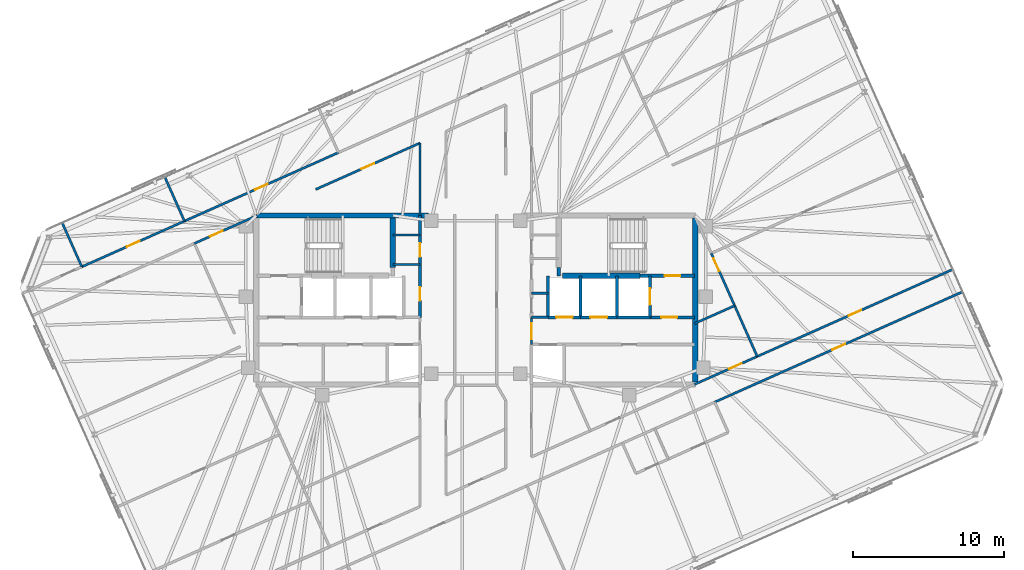
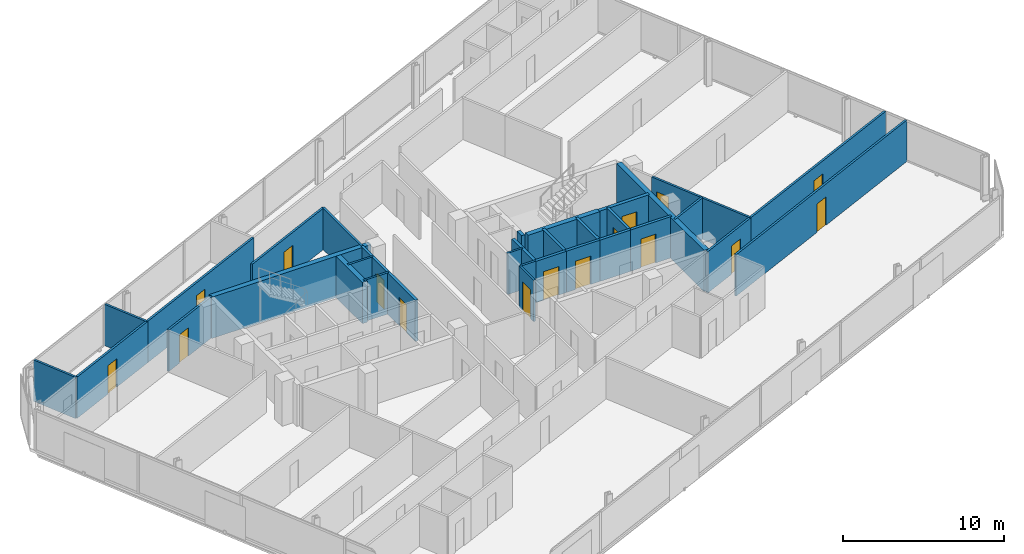
# One storey, part 15 of 18: 33 walls, 16 doors, 16 openings.
"""IFC4 building model written with IfcOpenShell, lengths in metres."""

import ifcopenshell
import ifcopenshell.guid

model = None  # the IFC model being written
_history = None  # IfcOwnerHistory: only IFC2X3 demands one
_inside = {}  # id of a spatial element -> (the spatial element, [elements in it])
_under = {}  # id of a project, library or spatial element -> (it, [spatial elements below it])
_declared = {}  # id of a project -> (the project, [libraries it declares])
_typed = {}  # id of a type object -> (the type object, [elements of that type])
_made_of = {}  # id of a material, layer set ... -> (it, [elements and type objects made of it])


def new_model(schema):
    """Start an empty IFC model of exactly this schema.

    Asked for "IFC4X3", IfcOpenShell would pick the latest addendum, in which some entities
    have other attributes; the version numbers below select the first issue.
    IFC2X3 requires an IfcOwnerHistory on every rooted entity: one is made here for all.
    """
    global model, _history
    if schema == "IFC4X3":
        model = ifcopenshell.file(schema_version=(4, 3, 0, 0))
    else:
        model = ifcopenshell.file(schema=schema)
    _inside.clear()
    _under.clear()
    _declared.clear()
    _typed.clear()
    _made_of.clear()
    _history = None
    if model.schema == "IFC2X3":
        org = make("IfcOrganization", Name="unknown")
        user = make(
            "IfcPersonAndOrganization",
            ThePerson=make("IfcPerson", FamilyName="unknown"),
            TheOrganization=org,
        )
        app = make(
            "IfcApplication",
            ApplicationDeveloper=org,
            Version="unknown",
            ApplicationFullName="unknown",
            ApplicationIdentifier="unknown",
        )
        _history = make(
            "IfcOwnerHistory",
            OwningUser=user,
            OwningApplication=app,
            ChangeAction="ADDED",
            CreationDate=0,
        )
    return model


def make(cls, **values):
    """One entity of the class cls with the attributes given. An attribute that is None is left unset."""
    return model.create_entity(
        cls, **{name: value for name, value in values.items() if value is not None}
    )


def rooted(cls, **values):
    """An entity with a GlobalId (a new one), such as an element, a storey or a relation."""
    return make(cls, GlobalId=ifcopenshell.guid.new(), OwnerHistory=_history, **values)


def si_unit(unit_type, name, prefix=None):
    """IfcSIUnit, for example si_unit("LENGTHUNIT", "METRE", prefix="MILLI")."""
    return make("IfcSIUnit", UnitType=unit_type, Prefix=prefix, Name=name)


def assignment(units):
    """IfcUnitAssignment: the units of a project."""
    return None if units is None else make("IfcUnitAssignment", Units=units)


def point(xyz):
    """IfcCartesianPoint."""
    return None if xyz is None else make("IfcCartesianPoint", Coordinates=xyz)


def direction(xyz):
    """IfcDirection."""
    return None if xyz is None else make("IfcDirection", DirectionRatios=xyz)


def frame(location, z_axis=None, x_axis=None):
    """IfcAxis2Placement3D, a coordinate frame: its origin and axes. An axis left out is left unset."""
    return make(
        "IfcAxis2Placement3D",
        Location=point(location),
        Axis=direction(z_axis),
        RefDirection=direction(x_axis),
    )


def frame_2d(location, x_axis=None):
    """IfcAxis2Placement2D, a coordinate frame in the plane: its origin and x axis."""
    return make(
        "IfcAxis2Placement2D", Location=point(location), RefDirection=direction(x_axis)
    )


def origin():
    """The frame at (0, 0, 0) with its axes left unset."""
    return frame((0.0, 0.0, 0.0))


def place(relative_to, where):
    """IfcLocalPlacement: puts the frame where relative to a parent placement (None: the world)."""
    return make(
        "IfcLocalPlacement", PlacementRelTo=relative_to, RelativePlacement=where
    )


def context(
    kind, dimensions, precision=None, world=None, true_north=None, identifier=None
):
    """IfcGeometricRepresentationContext, for example the 3D "Model" context."""
    return make(
        "IfcGeometricRepresentationContext",
        ContextIdentifier=identifier,
        ContextType=kind,
        CoordinateSpaceDimension=dimensions,
        Precision=precision,
        WorldCoordinateSystem=world,
        TrueNorth=true_north,
    )


def subcontext(parent, identifier, kind, view, scale=None):
    """IfcGeometricRepresentationSubContext, for example "Body" below "Model"."""
    return make(
        "IfcGeometricRepresentationSubContext",
        ContextIdentifier=identifier,
        ContextType=kind,
        ParentContext=parent,
        TargetScale=scale,
        TargetView=view,
    )


def project(units=None, contexts=None):
    """IfcProject with its units and contexts."""
    return rooted(
        "IfcProject",
        Name="project",
        RepresentationContexts=contexts,
        UnitsInContext=assignment(units),
    )


def spatial(cls, under=None, at=None, **own):
    """A site, building, storey or space (cls), placed at a placement, below another one or the project."""
    s = rooted(cls, ObjectPlacement=at, **own)
    if under is not None:
        _under.setdefault(under.id(), (under, []))[1].append(s)
    return s


def profile(cls, at=None, kind="AREA", **sizes):
    """A parametric profile (cls). Its sizes go by their IFC names, for example OverallWidth=200.0."""
    return make(cls, ProfileType=kind, Position=at, **sizes)


def rectangle(**sizes):
    """IfcRectangleProfileDef."""
    return profile("IfcRectangleProfileDef", **sizes)


def extrude(swept, where, along, depth):
    """IfcExtrudedAreaSolid: the profile swept, set in the frame where, extruded along a direction by depth."""
    return make(
        "IfcExtrudedAreaSolid",
        SweptArea=swept,
        Position=where,
        ExtrudedDirection=direction(along),
        Depth=depth,
    )


def shape(context_of_items, identifier, shape_type, items):
    """IfcShapeRepresentation: the items that make up one representation, for example the "Body"."""
    return make(
        "IfcShapeRepresentation",
        ContextOfItems=context_of_items,
        RepresentationIdentifier=identifier,
        RepresentationType=shape_type,
        Items=items,
    )


def material(Name=None, Category=None):
    """IfcMaterial."""
    return make("IfcMaterial", Name=Name, Category=Category)


def layer(
    of_material, thickness, ventilated=None, Name=None, Category=None, Priority=None
):
    """IfcMaterialLayer: one layer of a wall or slab, of a material (None: an air gap)."""
    return make(
        "IfcMaterialLayer",
        Material=of_material,
        LayerThickness=thickness,
        IsVentilated=ventilated,
        Name=Name,
        Category=Category,
        Priority=Priority,
    )


def layer_set(layers, Name=None):
    """IfcMaterialLayerSet."""
    return make("IfcMaterialLayerSet", MaterialLayers=layers, LayerSetName=Name)


def made_of(thing, what):
    """Note that an element or type object is made of a material, layer set ...; save() writes the relation."""
    if what is not None:
        _made_of.setdefault(what.id(), (what, []))[1].append(thing)
    return thing


def type_object(cls, material=None, **own):
    """A type object (cls), such as IfcWallType, which elements share."""
    return made_of(rooted(cls, **own), material)


def element(
    cls,
    number,
    at=None,
    inside=None,
    cuts=None,
    type_object=None,
    material=None,
    context=None,
    identifier="Body",
    shape_type=None,
    held_by="IfcProductDefinitionShape",
    body=None,
    shapes=None,
    **own,
):
    """One element of the class cls, such as IfcWall. Its Tag is "e" and its number.

    at: its placement. inside: the storey or other place that contains it. cuts: it is an
    opening in that element (IfcRelVoidsElement). A single representation is given by context,
    identifier, shape_type and body (its items); several are given by shapes. held_by: the class
    of the entity that holds the representations. save() writes the other relations.
    """
    e = rooted(cls, Tag="e%d" % number, ObjectPlacement=at, **own)
    if body is not None:
        shapes = [shape(context, identifier, shape_type, body)]
    if shapes is not None:
        e.Representation = make(held_by, Representations=shapes)
    if inside is not None:
        _inside.setdefault(inside.id(), (inside, []))[1].append(e)
    if cuts is not None:
        rooted(
            "IfcRelVoidsElement", RelatingBuildingElement=cuts, RelatedOpeningElement=e
        )
    if type_object is not None:
        _typed.setdefault(type_object.id(), (type_object, []))[1].append(e)
    return made_of(e, material)


def fill(opening, filler):
    """IfcRelFillsElement: the door or window that sits in an opening."""
    return rooted(
        "IfcRelFillsElement",
        RelatingOpeningElement=opening,
        RelatedBuildingElement=filler,
    )


def aggregate(whole, parts):
    """IfcRelAggregates: a whole, such as a stair, and the parts it consists of."""
    return rooted("IfcRelAggregates", RelatingObject=whole, RelatedObjects=parts)


def save(model, path):
    """Write the relations noted so far, then the file.

    IfcRelAggregates (storeys below a building ...), IfcRelContainedInSpatialStructure (elements
    in a storey), IfcRelDefinesByType, IfcRelAssociatesMaterial and IfcRelDeclares: one each for
    every whole, place, type object, material and project.
    """
    for whole, parts in _under.values():
        aggregate(whole, parts)
    for where, things in _inside.values():
        rooted(
            "IfcRelContainedInSpatialStructure",
            RelatedElements=things,
            RelatingStructure=where,
        )
    for kind, things in _typed.values():
        rooted("IfcRelDefinesByType", RelatedObjects=things, RelatingType=kind)
    for what, things in _made_of.values():
        rooted("IfcRelAssociatesMaterial", RelatedObjects=things, RelatingMaterial=what)
    for by, libraries in _declared.values():
        rooted("IfcRelDeclares", RelatingContext=by, RelatedDefinitions=libraries)
    model.write(path)


model = new_model("IFC4")

# Units and contexts
model_context = context("Model", 3, precision=1e-05, world=origin(), true_north=direction((0.0, 1.0)))
body_context = subcontext(model_context, "Body", "Model", "MODEL_VIEW")
ifc_project = project(units=[si_unit("LENGTHUNIT", "METRE"), si_unit("AREAUNIT", "SQUARE_METRE"), si_unit("VOLUMEUNIT", "CUBIC_METRE"), si_unit("PLANEANGLEUNIT", "RADIAN"), si_unit("MASSUNIT", "GRAM", prefix="KILO")], contexts=[model_context])

# Site, building, storey
site_placement = place(None, origin())
site = spatial("IfcSite", under=ifc_project, at=site_placement, CompositionType="ELEMENT")
building_placement = place(site_placement, origin())
building = spatial("IfcBuilding", under=site, at=building_placement, Name="Menara Jurai Vektor", CompositionType="ELEMENT")
storey_placement = place(building_placement, frame((0.0, 0.0, 285.25)))
storey = spatial("IfcBuildingStorey", under=building, at=storey_placement, Name="L76", CompositionType="ELEMENT", Elevation=285.25)

# Wall, opening, door
ifc_material_1 = material(Name="Concrete C40/50", Category="concrete")
ifc_layer_1 = layer(ifc_material_1, 0.25)
ifc_layer_set_1 = layer_set([ifc_layer_1], Name="Concrete C40/50")
wall_type_1 = type_object("IfcWallType", Name="INT-WALL-CORE-250", PredefinedType="STANDARD", material=ifc_layer_set_1)
wall_1_placement = place(storey_placement, frame((10.89990234375, 1.60009765625, 0.0), z_axis=(0.0, 0.0, 1.0), x_axis=(1.0, 0.0, 0.0)))
wall_1 = element("IfcWall", 1, at=wall_1_placement, inside=storey, type_object=wall_type_1, Name="Interior Wall IW-250 L76", PredefinedType="STANDARD", context=body_context, shape_type="SweptSolid", body=[
    extrude(rectangle(XDim=3.60009765625, YDim=0.25, at=frame_2d((1.800048828125, 0.0))), origin(), (0.0, 0.0, 1.0), 3.125),
])
opening_1_placement = place(wall_1_placement, frame((1.6201171875, 0.0, 0.0)))
opening_1 = element("IfcOpeningElement", 2, at=opening_1_placement, cuts=wall_1, Name="Opening D-L76-ST2", PredefinedType="OPENING", context=body_context, shape_type="SweptSolid", body=[
    extrude(rectangle(XDim=1.050048828125, YDim=2.14990234375, at=frame_2d((0.52490234375, 1.074951171875))), frame((0.0, 0.135009765625, 0.0), z_axis=(0.0, -1.0, 0.0), x_axis=(1.0, 0.0, 0.0)), (0.0, 0.0, 1.0), 0.27001953125),
])
ifc_material_2 = material(Name="Fire-Rated Steel Door", Category="steel")
door_type_1 = type_object("IfcDoorType", Name="DR-STAIR-1050", OperationType="NOTDEFINED", PredefinedType="DOOR", material=ifc_material_2)
door_1_placement = place(opening_1_placement, origin())
door_1 = element("IfcDoor", 3, at=door_1_placement, inside=storey, type_object=door_type_1, Name="Exit Stair ST2 Door L76", OperationType="SINGLE_SWING_LEFT", OverallHeight=2.14990234375, OverallWidth=1.050048828125, PredefinedType="DOOR", context=body_context, shape_type="SweptSolid", body=[
    extrude(rectangle(XDim=1.050048828125, YDim=2.14990234375, at=frame_2d((0.52490234375, 1.074951171875))), frame((0.0, 0.02490234375, 0.0), z_axis=(0.0, -1.0, 0.0), x_axis=(1.0, 0.0, 0.0)), (0.0, 0.0, 1.0), 0.050048828125),
])
fill(opening_1, door_1)

# Wall
wall_2_placement = place(storey_placement, frame((5.5, 1.60009765625, 0.0), z_axis=(0.0, 0.0, 1.0), x_axis=(0.0, 1.0, 0.0)))
element("IfcWall", 4, at=wall_2_placement, inside=storey, type_object=wall_type_1, Name="Interior Wall IW-250 L76", PredefinedType="STANDARD", context=body_context, shape_type="SweptSolid", body=[
    extrude(rectangle(XDim=0.5498046875, YDim=0.25, at=frame_2d((0.27490234375, 0.0))), origin(), (0.0, 0.0, 1.0), 3.125),
])

# Wall, opening, door
wall_3_placement = place(storey_placement, frame((11.550048828125, -1.14990234375, 0.0), z_axis=(0.0, 0.0, 1.0), x_axis=(0.0, 1.0, 0.0)))
wall_3 = element("IfcWall", 5, at=wall_3_placement, inside=storey, type_object=wall_type_1, Name="Interior Wall IW-250 L76", PredefinedType="STANDARD", context=body_context, shape_type="SweptSolid", body=[
    extrude(rectangle(XDim=2.75, YDim=0.199951171875, at=frame_2d((1.375, 0.0))), origin(), (0.0, 0.0, 1.0), 3.125),
])
opening_2_placement = place(wall_3_placement, frame((0.824951171875, 0.0, 0.0)))
opening_2 = element("IfcOpeningElement", 6, at=opening_2_placement, cuts=wall_3, Name="Opening LD-L76-FL2", PredefinedType="OPENING", context=body_context, shape_type="SweptSolid", body=[
    extrude(rectangle(XDim=1.10009765625, YDim=2.14990234375, at=frame_2d((0.550048828125, 1.074951171875))), frame((0.0, 0.10986328125, 0.0), z_axis=(0.0, -1.0, 0.0), x_axis=(1.0, 0.0, 0.0)), (0.0, 0.0, 1.0), 0.219970703125),
])
ifc_material_3 = material(Name="Stainless Steel Sliding Lift Landing Door", Category="steel")
door_type_2 = type_object("IfcDoorType", Name="DR-LIFT-FIRE-1100", OperationType="NOTDEFINED", PredefinedType="DOOR", material=ifc_material_3)
door_2_placement = place(opening_2_placement, origin())
door_2 = element("IfcDoor", 7, at=door_2_placement, inside=storey, type_object=door_type_2, Name="Lift Landing Door FL2 L76", OperationType="SLIDING_TO_RIGHT", OverallHeight=2.14990234375, OverallWidth=1.10009765625, PredefinedType="DOOR", context=body_context, shape_type="SweptSolid", body=[
    extrude(rectangle(XDim=1.10009765625, YDim=2.14990234375, at=frame_2d((0.550048828125, 1.074951171875))), frame((0.0, 0.02490234375, 0.0), z_axis=(0.0, -1.0, 0.0), x_axis=(1.0, 0.0, 0.0)), (0.0, 0.0, 1.0), 0.050048828125),
])
fill(opening_2, door_2)

# Wall
wall_4_placement = place(storey_placement, frame((9.35009765625, -1.14990234375, 0.0), z_axis=(0.0, 0.0, 1.0), x_axis=(0.0, 1.0, 0.0)))
element("IfcWall", 8, at=wall_4_placement, inside=storey, type_object=wall_type_1, Name="Interior Wall IW-250 L76", PredefinedType="STANDARD", context=body_context, shape_type="SweptSolid", body=[
    extrude(rectangle(XDim=2.75, YDim=0.199951171875, at=frame_2d((1.375, 0.0))), origin(), (0.0, 0.0, 1.0), 3.125),
])

# Wall, opening, door
wall_5_placement = place(storey_placement, frame((11.550048828125, -1.14990234375, 0.0), z_axis=(0.0, 0.0, 1.0), x_axis=(1.0, 0.0, 0.0)))
wall_5 = element("IfcWall", 9, at=wall_5_placement, inside=storey, type_object=wall_type_1, Name="Interior Wall IW-250 L76", PredefinedType="STANDARD", context=body_context, shape_type="SweptSolid", body=[
    extrude(rectangle(XDim=2.949951171875, YDim=0.199951171875, at=frame_2d((1.47509765625, 0.0))), origin(), (0.0, 0.0, 1.0), 3.125),
])
opening_3_placement = place(wall_5_placement, frame((0.75, 0.0, 0.0)))
opening_3 = element("IfcOpeningElement", 10, at=opening_3_placement, cuts=wall_5, Name="Opening D-L76-FFE", PredefinedType="OPENING", context=body_context, shape_type="SweptSolid", body=[
    extrude(rectangle(XDim=1.050048828125, YDim=2.179931640625, at=frame_2d((0.52490234375, 1.08984375))), frame((0.0, 0.10986328125, 0.0), z_axis=(0.0, -1.0, 0.0), x_axis=(1.0, 0.0, 0.0)), (0.0, 0.0, 1.0), 0.219970703125),
])
ifc_material_4 = material(Name="Fire-Rated Timber Door", Category="wood")
door_type_3 = type_object("IfcDoorType", Name="DR-LOBBY-1050", OperationType="NOTDEFINED", PredefinedType="DOOR", material=ifc_material_4)
door_3_placement = place(opening_3_placement, origin())
door_3 = element("IfcDoor", 11, at=door_3_placement, inside=storey, type_object=door_type_3, Name="Fire Lift Lobby Door E L76", OperationType="SINGLE_SWING_LEFT", OverallHeight=2.179931640625, OverallWidth=1.050048828125, PredefinedType="DOOR", context=body_context, shape_type="SweptSolid", body=[
    extrude(rectangle(XDim=1.050048828125, YDim=2.179931640625, at=frame_2d((0.52490234375, 1.08984375))), frame((0.0, 0.02490234375, 0.0), z_axis=(0.0, -1.0, 0.0), x_axis=(1.0, 0.0, 0.0)), (0.0, 0.0, 1.0), 0.050048828125),
])
fill(opening_3, door_3)

# Wall
wall_6_placement = place(storey_placement, frame((9.35009765625, -1.14990234375, 0.0), z_axis=(0.0, 0.0, 1.0), x_axis=(1.0, 0.0, 0.0)))
element("IfcWall", 12, at=wall_6_placement, inside=storey, type_object=wall_type_1, Name="Interior Wall IW-250 L76", PredefinedType="STANDARD", context=body_context, shape_type="SweptSolid", body=[
    extrude(rectangle(XDim=2.199951171875, YDim=0.199951171875, at=frame_2d((1.10009765625, 0.0))), origin(), (0.0, 0.0, 1.0), 3.125),
])

# Wall, opening, door
ifc_material_5 = material(Name="Gypsum Fireboard Partition", Category="gypsum")
ifc_layer_2 = layer(ifc_material_5, 0.14990234375)
ifc_layer_set_2 = layer_set([ifc_layer_2], Name="Gypsum Fireboard Partition")
wall_type_2 = type_object("IfcWallType", Name="INT-WALL-CORR-150", PredefinedType="PARTITIONING", material=ifc_layer_set_2)
wall_7_placement = place(storey_placement, frame((3.699951171875, -2.949951171875, 0.0), z_axis=(0.0, 0.0, 1.0), x_axis=(0.0, 1.0, 0.0)))
wall_7 = element("IfcWall", 13, at=wall_7_placement, inside=storey, type_object=wall_type_2, Name="Interior Wall IW-150 L76", PredefinedType="PARTITIONING", context=body_context, shape_type="SweptSolid", body=[
    extrude(rectangle(XDim=1.800048828125, YDim=0.14990234375, at=frame_2d((0.89990234375, 0.0))), origin(), (0.0, 0.0, 1.0), 3.125),
])
opening_4_placement = place(wall_7_placement, frame((0.35009765625, 0.0, 0.0)))
opening_4 = element("IfcOpeningElement", 14, at=opening_4_placement, cuts=wall_7, Name="Opening D-L76-LLE", PredefinedType="OPENING", context=body_context, shape_type="SweptSolid", body=[
    extrude(rectangle(XDim=1.050048828125, YDim=2.179931640625, at=frame_2d((0.52490234375, 1.08984375))), frame((0.0, 0.0849609375, 0.0), z_axis=(0.0, -1.0, 0.0), x_axis=(1.0, 0.0, 0.0)), (0.0, 0.0, 1.0), 0.169921875),
])
door_4_placement = place(opening_4_placement, frame((1.050048828125, 0.0, 0.0), z_axis=(0.0, 0.0, 1.0), x_axis=(-1.0, 0.0, 0.0)))
door_4 = element("IfcDoor", 15, at=door_4_placement, inside=storey, type_object=door_type_3, Name="Lift Lobby Corridor Door E L76", OperationType="SINGLE_SWING_RIGHT", OverallHeight=2.179931640625, OverallWidth=1.050048828125, PredefinedType="DOOR", context=body_context, shape_type="SweptSolid", body=[
    extrude(rectangle(XDim=1.050048828125, YDim=2.179931640625, at=frame_2d((0.52490234375, 1.08984375))), frame((0.0, 0.02490234375, 0.0), z_axis=(0.0, -1.0, 0.0), x_axis=(1.0, 0.0, 0.0)), (0.0, 0.0, 1.0), 0.050048828125),
])
fill(opening_4, door_4)

# Walls
wall_8_placement = place(storey_placement, frame((3.699951171875, -1.14990234375, 0.0), z_axis=(0.0, 0.0, 1.0), x_axis=(1.0, 0.0, 0.0)))
element("IfcWall", 16, at=wall_8_placement, inside=storey, type_object=wall_type_2, Name="Interior Wall IW-150 L76", PredefinedType="PARTITIONING", context=body_context, shape_type="SweptSolid", body=[
    extrude(rectangle(XDim=1.090087890625, YDim=0.14990234375, at=frame_2d((0.544921875, 0.0))), origin(), (0.0, 0.0, 1.0), 3.125),
])
for number, where, z_axis, x_axis, name in (
    (17, (-5.5, 4.300048828125, 0.0), (0.0, 0.0, 1.0), (1.0, 0.0, 0.0), "Interior Wall IW-150 L76"),
    (18, (-5.5, 2.35009765625, 0.0), (0.0, 0.0, 1.0), (1.0, 0.0, 0.0), "Interior Wall IW-150 L76"),
):
    element("IfcWall", number, at=place(storey_placement, frame(where, z_axis=z_axis, x_axis=x_axis)), inside=storey, type_object=wall_type_2, Name=name, PredefinedType="PARTITIONING", context=body_context, shape_type="SweptSolid", body=[
        extrude(rectangle(XDim=1.800048828125, YDim=0.14990234375, at=frame_2d((0.89990234375, 0.0))), origin(), (0.0, 0.0, 1.0), 3.125),
    ])
wall_9_placement = place(storey_placement, frame((3.699951171875, 0.449951171875, 0.0), z_axis=(0.0, 0.0, 1.0), x_axis=(1.0, 0.0, 0.0)))
element("IfcWall", 19, at=wall_9_placement, inside=storey, type_object=wall_type_2, Name="Interior Wall IW-150 L76", PredefinedType="PARTITIONING", context=body_context, shape_type="SweptSolid", body=[
    extrude(rectangle(XDim=1.090087890625, YDim=0.14990234375, at=frame_2d((0.544921875, 0.0))), origin(), (0.0, 0.0, 1.0), 3.125),
])

# Wall, opening, door
wall_10_placement = place(storey_placement, frame((15.843017578125, -6.775634765625, 0.0), z_axis=(0.0, 0.0, 1.0), x_axis=(0.913541183414, 0.406746243015, 0.0)))
wall_10 = element("IfcWall", 20, at=wall_10_placement, inside=storey, type_object=wall_type_2, Name="Interior Wall IW-150 L76", PredefinedType="PARTITIONING", context=body_context, shape_type="SweptSolid", body=[
    extrude(rectangle(XDim=17.9990234375, YDim=0.14990234375, at=frame_2d((8.99951171875, 0.0))), origin(), (0.0, 0.0, 1.0), 3.125),
])
opening_5_placement = place(wall_10_placement, frame((8.5244140625, 0.0, 0.0)))
opening_5 = element("IfcOpeningElement", 21, at=opening_5_placement, cuts=wall_10, Name="Opening D76-16", PredefinedType="OPENING", context=body_context, shape_type="SweptSolid", body=[
    extrude(rectangle(XDim=0.949951171875, YDim=2.14990234375, at=frame_2d((0.47509765625, 1.074951171875))), frame((0.0, 0.0849609375, 0.0), z_axis=(0.0, -1.0, 0.0), x_axis=(1.0, 0.0, 0.0)), (0.0, 0.0, 1.0), 0.169921875),
])
ifc_material_6 = material(Name="Solid Core Timber Fire Door", Category="wood")
door_type_4 = type_object("IfcDoorType", Name="DR-ENTRY-950", OperationType="NOTDEFINED", PredefinedType="DOOR", material=ifc_material_6)
door_5_placement = place(opening_5_placement, origin())
door_5 = element("IfcDoor", 22, at=door_5_placement, inside=storey, type_object=door_type_4, Name="Interior Door D76-16", OperationType="SINGLE_SWING_RIGHT", OverallHeight=2.14990234375, OverallWidth=0.949951171875, PredefinedType="DOOR", context=body_context, shape_type="SweptSolid", body=[
    extrude(rectangle(XDim=0.949951171875, YDim=2.14990234375, at=frame_2d((0.47509765625, 1.074951171875))), frame((0.0, 0.02490234375, 0.0), z_axis=(0.0, -1.0, 0.0), x_axis=(1.0, 0.0, 0.0)), (0.0, 0.0, 1.0), 0.050048828125),
])
fill(opening_5, door_5)

wall_11_placement = place(storey_placement, frame((-26.1259765625, 2.197021484375, 0.0), z_axis=(0.0, 0.0, 1.0), x_axis=(0.913553251328, 0.40671913772, 0.0)))
wall_11 = element("IfcWall", 23, at=wall_11_placement, inside=storey, type_object=wall_type_2, Name="Interior Wall IW-150 L76", PredefinedType="PARTITIONING", context=body_context, shape_type="SweptSolid", body=[
    extrude(rectangle(XDim=7.449951171875, YDim=0.14990234375, at=frame_2d((3.72509765625, 0.0))), origin(), (0.0, 0.0, 1.0), 3.125),
])
opening_6_placement = place(wall_11_placement, frame((3.264892578125, 0.0, 0.0)))
opening_6 = element("IfcOpeningElement", 24, at=opening_6_placement, cuts=wall_11, Name="Opening D76-24", PredefinedType="OPENING", context=body_context, shape_type="SweptSolid", body=[
    extrude(rectangle(XDim=0.919921875, YDim=2.14990234375, at=frame_2d((0.4599609375, 1.074951171875))), frame((0.0, 0.0849609375, 0.0), z_axis=(0.0, -1.0, 0.0), x_axis=(1.0, 0.0, 0.0)), (0.0, 0.0, 1.0), 0.169921875),
])
door_6_placement = place(opening_6_placement, origin())
door_6 = element("IfcDoor", 25, at=door_6_placement, inside=storey, type_object=door_type_4, Name="Interior Door D76-24", OperationType="SINGLE_SWING_RIGHT", OverallHeight=2.14990234375, OverallWidth=0.919921875, PredefinedType="DOOR", context=body_context, shape_type="SweptSolid", body=[
    extrude(rectangle(XDim=0.919921875, YDim=2.14990234375, at=frame_2d((0.4599609375, 1.074951171875))), frame((0.0, 0.02490234375, 0.0), z_axis=(0.0, -1.0, 0.0), x_axis=(1.0, 0.0, 0.0)), (0.0, 0.0, 1.0), 0.050048828125),
])
fill(opening_6, door_6)

wall_12_placement = place(storey_placement, frame((14.499755859375, -5.600341796875, 0.0), z_axis=(0.0, 0.0, 1.0), x_axis=(0.913550607208, 0.406725076766, 0.0)))
wall_12 = element("IfcWall", 26, at=wall_12_placement, inside=storey, type_object=wall_type_2, Name="Interior Wall IW-150 L76", PredefinedType="PARTITIONING", context=body_context, shape_type="SweptSolid", body=[
    extrude(rectangle(XDim=4.555908203125, YDim=0.14990234375, at=frame_2d((2.27783203125, 0.0))), origin(), (0.0, 0.0, 1.0), 3.125),
])
opening_7_placement = place(wall_12_placement, frame((2.50146484375, 0.0, 0.0)))
opening_7 = element("IfcOpeningElement", 27, at=opening_7_placement, cuts=wall_12, Name="Opening D76-29", PredefinedType="OPENING", context=body_context, shape_type="SweptSolid", body=[
    extrude(rectangle(XDim=0.919921875, YDim=2.14990234375, at=frame_2d((0.4599609375, 1.074951171875))), frame((0.0, 0.0849609375, 0.0), z_axis=(0.0, -1.0, 0.0), x_axis=(1.0, 0.0, 0.0)), (0.0, 0.0, 1.0), 0.169921875),
])
door_7_placement = place(opening_7_placement, origin())
door_7 = element("IfcDoor", 28, at=door_7_placement, inside=storey, type_object=door_type_4, Name="Interior Door D76-29", OperationType="SINGLE_SWING_LEFT", OverallHeight=2.14990234375, OverallWidth=0.919921875, PredefinedType="DOOR", context=body_context, shape_type="SweptSolid", body=[
    extrude(rectangle(XDim=0.919921875, YDim=2.14990234375, at=frame_2d((0.4599609375, 1.074951171875))), frame((0.0, 0.02490234375, 0.0), z_axis=(0.0, -1.0, 0.0), x_axis=(1.0, 0.0, 0.0)), (0.0, 0.0, 1.0), 0.050048828125),
])
fill(opening_7, door_7)

wall_13_placement = place(storey_placement, frame((-18.6611328125, 3.7470703125, 0.0), z_axis=(0.0, 0.0, 1.0), x_axis=(0.913535055583, 0.40676000568, 0.0)))
wall_13 = element("IfcWall", 29, at=wall_13_placement, inside=storey, type_object=wall_type_2, Name="Interior Wall IW-150 L76", PredefinedType="PARTITIONING", context=body_context, shape_type="SweptSolid", body=[
    extrude(rectangle(XDim=4.554931640625, YDim=0.14990234375, at=frame_2d((2.27734375, 0.0))), origin(), (0.0, 0.0, 1.0), 3.125),
])
opening_8_placement = place(wall_13_placement, frame((1.13427734375, 0.0, 0.0)))
opening_8 = element("IfcOpeningElement", 30, at=opening_8_placement, cuts=wall_13, Name="Opening D76-34", PredefinedType="OPENING", context=body_context, shape_type="SweptSolid", body=[
    extrude(rectangle(XDim=0.919921875, YDim=2.14990234375, at=frame_2d((0.4599609375, 1.074951171875))), frame((0.0, 0.0849609375, 0.0), z_axis=(0.0, -1.0, 0.0), x_axis=(1.0, 0.0, 0.0)), (0.0, 0.0, 1.0), 0.169921875),
])
door_8_placement = place(opening_8_placement, origin())
door_8 = element("IfcDoor", 31, at=door_8_placement, inside=storey, type_object=door_type_4, Name="Interior Door D76-34", OperationType="SINGLE_SWING_RIGHT", OverallHeight=2.14990234375, OverallWidth=0.919921875, PredefinedType="DOOR", context=body_context, shape_type="SweptSolid", body=[
    extrude(rectangle(XDim=0.919921875, YDim=2.14990234375, at=frame_2d((0.4599609375, 1.074951171875))), frame((0.0, 0.02490234375, 0.0), z_axis=(0.0, -1.0, 0.0), x_axis=(1.0, 0.0, 0.0)), (0.0, 0.0, 1.0), 0.050048828125),
])
fill(opening_8, door_8)

wall_14_placement = place(storey_placement, frame((-10.61181640625, 7.330810546875, 0.0), z_axis=(0.0, 0.0, 1.0), x_axis=(0.913543890665, 0.406740162546, 0.0)))
wall_14 = element("IfcWall", 32, at=wall_14_placement, inside=storey, type_object=wall_type_2, Name="Interior Wall IW-150 L76", PredefinedType="PARTITIONING", context=body_context, shape_type="SweptSolid", body=[
    extrude(rectangle(XDim=7.56591796875, YDim=0.14990234375, at=frame_2d((3.782958984375, 0.0))), origin(), (0.0, 0.0, 1.0), 3.125),
])
opening_9_placement = place(wall_14_placement, frame((3.322998046875, 0.0, 0.0)))
opening_9 = element("IfcOpeningElement", 33, at=opening_9_placement, cuts=wall_14, Name="Opening D76-36", PredefinedType="OPENING", context=body_context, shape_type="SweptSolid", body=[
    extrude(rectangle(XDim=0.919921875, YDim=2.14990234375, at=frame_2d((0.4599609375, 1.074951171875))), frame((0.0, 0.0849609375, 0.0), z_axis=(0.0, -1.0, 0.0), x_axis=(1.0, 0.0, 0.0)), (0.0, 0.0, 1.0), 0.169921875),
])
door_9_placement = place(opening_9_placement, origin())
door_9 = element("IfcDoor", 34, at=door_9_placement, inside=storey, type_object=door_type_4, Name="Interior Door D76-36", OperationType="SINGLE_SWING_RIGHT", OverallHeight=2.14990234375, OverallWidth=0.919921875, PredefinedType="DOOR", context=body_context, shape_type="SweptSolid", body=[
    extrude(rectangle(XDim=0.919921875, YDim=2.14990234375, at=frame_2d((0.4599609375, 1.074951171875))), frame((0.0, 0.02490234375, 0.0), z_axis=(0.0, -1.0, 0.0), x_axis=(1.0, 0.0, 0.0)), (0.0, 0.0, 1.0), 0.050048828125),
])
fill(opening_9, door_9)

# Wall
wall_15_placement = place(storey_placement, frame((-3.7001953125, 5.599609375, 0.0), z_axis=(0.0, 0.0, 1.0), x_axis=(5.077173e-05, 0.999999998711, 0.0)))
element("IfcWall", 35, at=wall_15_placement, inside=storey, type_object=wall_type_2, Name="Interior Wall IW-150 L76", PredefinedType="PARTITIONING", context=body_context, shape_type="SweptSolid", body=[
    extrude(rectangle(XDim=4.80859375, YDim=0.14990234375, at=frame_2d((2.404296875, 0.0))), origin(), (0.0, 0.0, 1.0), 3.125),
])

# Wall, opening, door
wall_16_placement = place(storey_placement, frame((-19.320068359375, 5.22705078125, 0.0), z_axis=(0.0, 0.0, 1.0), x_axis=(0.913543828741, 0.406740301628, 0.0)))
wall_16 = element("IfcWall", 36, at=wall_16_placement, inside=storey, type_object=wall_type_2, Name="Interior Wall IW-150 L76", PredefinedType="PARTITIONING", context=body_context, shape_type="SweptSolid", body=[
    extrude(rectangle(XDim=11.177001953125, YDim=0.14990234375, at=frame_2d((5.58837890625, 0.0))), origin(), (0.0, 0.0, 1.0), 3.125),
])
opening_10_placement = place(wall_16_placement, frame((5.12841796875, 0.0, 0.0)))
opening_10 = element("IfcOpeningElement", 37, at=opening_10_placement, cuts=wall_16, Name="Opening D76-37", PredefinedType="OPENING", context=body_context, shape_type="SweptSolid", body=[
    extrude(rectangle(XDim=0.919921875, YDim=2.14990234375, at=frame_2d((0.4599609375, 1.074951171875))), frame((0.0, 0.0849609375, 0.0), z_axis=(0.0, -1.0, 0.0), x_axis=(1.0, 0.0, 0.0)), (0.0, 0.0, 1.0), 0.169921875),
])
door_10_placement = place(opening_10_placement, origin())
door_10 = element("IfcDoor", 38, at=door_10_placement, inside=storey, type_object=door_type_4, Name="Interior Door D76-37", OperationType="SINGLE_SWING_LEFT", OverallHeight=2.14990234375, OverallWidth=0.919921875, PredefinedType="DOOR", context=body_context, shape_type="SweptSolid", body=[
    extrude(rectangle(XDim=0.919921875, YDim=2.14990234375, at=frame_2d((0.4599609375, 1.074951171875))), frame((0.0, 0.02490234375, 0.0), z_axis=(0.0, -1.0, 0.0), x_axis=(1.0, 0.0, 0.0)), (0.0, 0.0, 1.0), 0.050048828125),
])
fill(opening_10, door_10)

wall_17_placement = place(storey_placement, frame((18.661865234375, -3.747314453125, 0.0), z_axis=(0.0, 0.0, 1.0), x_axis=(0.913544622417, 0.406738519018, 0.0)))
wall_17 = element("IfcWall", 39, at=wall_17_placement, inside=storey, type_object=wall_type_2, Name="Interior Wall IW-150 L76", PredefinedType="PARTITIONING", context=body_context, shape_type="SweptSolid", body=[
    extrude(rectangle(XDim=14.192138671875, YDim=0.14990234375, at=frame_2d((7.09619140625, 0.0))), origin(), (0.0, 0.0, 1.0), 3.125),
])
opening_11_placement = place(wall_17_placement, frame((6.635986328125, 0.0, 0.0)))
opening_11 = element("IfcOpeningElement", 40, at=opening_11_placement, cuts=wall_17, Name="Opening D76-39", PredefinedType="OPENING", context=body_context, shape_type="SweptSolid", body=[
    extrude(rectangle(XDim=0.919921875, YDim=2.14990234375, at=frame_2d((0.4599609375, 1.074951171875))), frame((0.0, 0.0849609375, 0.0), z_axis=(0.0, -1.0, 0.0), x_axis=(1.0, 0.0, 0.0)), (0.0, 0.0, 1.0), 0.169921875),
])
door_11_placement = place(opening_11_placement, origin())
door_11 = element("IfcDoor", 41, at=door_11_placement, inside=storey, type_object=door_type_4, Name="Interior Door D76-39", OperationType="SINGLE_SWING_LEFT", OverallHeight=2.14990234375, OverallWidth=0.919921875, PredefinedType="DOOR", context=body_context, shape_type="SweptSolid", body=[
    extrude(rectangle(XDim=0.919921875, YDim=2.14990234375, at=frame_2d((0.4599609375, 1.074951171875))), frame((0.0, 0.02490234375, 0.0), z_axis=(0.0, -1.0, 0.0), x_axis=(1.0, 0.0, 0.0)), (0.0, 0.0, 1.0), 0.050048828125),
])
fill(opening_11, door_11)

# Walls
for number, where, z_axis, x_axis, name in (
    (42, (-26.1259765625, 2.197021484375, 0.0), (0.0, 0.0, 1.0), (-0.406761717745, 0.913534293268, 0.0), "Interior Wall IW-150 L76"),
    (43, (-19.320068359375, 5.22705078125, 0.0), (0.0, 0.0, 1.0), (-0.406669637818, 0.913575287361, 0.0), "Interior Wall IW-150 L76"),
):
    element("IfcWall", number, at=place(storey_placement, frame(where, z_axis=z_axis, x_axis=x_axis)), inside=storey, type_object=wall_type_2, Name=name, PredefinedType="PARTITIONING", context=body_context, shape_type="SweptSolid", body=[
        extrude(rectangle(XDim=3.197998046875, YDim=0.14990234375, at=frame_2d((1.59912109375, 0.0))), origin(), (0.0, 0.0, 1.0), 3.125),
    ])
wall_18_placement = place(storey_placement, frame((14.49951171875, -1.567626953125, 0.0), z_axis=(0.0, 0.0, 1.0), x_axis=(0.91354204122, 0.4067443164, 0.0)))
element("IfcWall", 44, at=wall_18_placement, inside=storey, type_object=wall_type_2, Name="Interior Wall IW-150 L76", PredefinedType="PARTITIONING", context=body_context, shape_type="SweptSolid", body=[
    extrude(rectangle(XDim=2.916015625, YDim=0.14990234375, at=frame_2d((1.4580078125, 0.0))), origin(), (0.0, 0.0, 1.0), 3.125),
])
wall_19_placement = place(storey_placement, frame((18.661865234375, -3.747314453125, 0.0), z_axis=(0.0, 0.0, 1.0), x_axis=(-0.406740920471, 0.913543553212, 0.0)))
element("IfcWall", 45, at=wall_19_placement, inside=storey, type_object=wall_type_2, Name="Interior Wall IW-150 L76", PredefinedType="PARTITIONING", context=body_context, shape_type="SweptSolid", body=[
    extrude(rectangle(XDim=3.684326171875, YDim=0.14990234375, at=frame_2d((1.84228515625, 0.0))), origin(), (0.0, 0.0, 1.0), 3.125),
])

# Wall, opening, door
wall_20_placement = place(storey_placement, frame((17.163330078125, -0.381591796875, 0.0), z_axis=(0.0, 0.0, 1.0), x_axis=(-0.406727752939, 0.913549415735, 0.0)))
wall_20 = element("IfcWall", 46, at=wall_20_placement, inside=storey, type_object=wall_type_2, Name="Interior Wall IW-150 L76", PredefinedType="PARTITIONING", context=body_context, shape_type="SweptSolid", body=[
    extrude(rectangle(XDim=3.804931640625, YDim=0.14990234375, at=frame_2d((1.90234375, 0.0))), origin(), (0.0, 0.0, 1.0), 3.125),
])
opening_12_placement = place(wall_20_placement, frame((2.5078125, 0.0, 0.0)))
opening_12 = element("IfcOpeningElement", 47, at=opening_12_placement, cuts=wall_20, Name="Opening D76-30", PredefinedType="OPENING", context=body_context, shape_type="SweptSolid", body=[
    extrude(rectangle(XDim=0.919921875, YDim=2.14990234375, at=frame_2d((0.4599609375, 1.074951171875))), frame((0.0, 0.0849609375, 0.0), z_axis=(0.0, -1.0, 0.0), x_axis=(1.0, 0.0, 0.0)), (0.0, 0.0, 1.0), 0.169921875),
])
door_12_placement = place(opening_12_placement, origin())
door_12 = element("IfcDoor", 48, at=door_12_placement, inside=storey, type_object=door_type_4, Name="Interior Door D76-30", OperationType="SINGLE_SWING_RIGHT", OverallHeight=2.14990234375, OverallWidth=0.919921875, PredefinedType="DOOR", context=body_context, shape_type="SweptSolid", body=[
    extrude(rectangle(XDim=0.919921875, YDim=2.14990234375, at=frame_2d((0.4599609375, 1.074951171875))), frame((0.0, 0.02490234375, 0.0), z_axis=(0.0, -1.0, 0.0), x_axis=(1.0, 0.0, 0.0)), (0.0, 0.0, 1.0), 0.050048828125),
])
fill(opening_12, door_12)

# Wall, openings, doors
ifc_layer_3 = layer(ifc_material_1, 0.199951171875)
ifc_layer_set_3 = layer_set([ifc_layer_3], Name="Concrete C40/50")
wall_type_3 = type_object("IfcWallType", Name="INT-WALL-SHAFT-200", PredefinedType="STANDARD", material=ifc_layer_set_3)
wall_21_placement = place(storey_placement, frame((-3.699951171875, -1.14990234375, 0.0), z_axis=(0.0, 0.0, 1.0), x_axis=(0.0, 1.0, 0.0)))
wall_21 = element("IfcWall", 49, at=wall_21_placement, inside=storey, type_object=wall_type_3, Name="Interior Wall IW-200 L76", PredefinedType="STANDARD", context=body_context, shape_type="SweptSolid", body=[
    extrude(rectangle(XDim=6.75, YDim=0.199951171875, at=frame_2d((3.375, 0.0))), origin(), (0.0, 0.0, 1.0), 3.125),
])
opening_13_placement = place(wall_21_placement, frame((1.10009765625, 0.0, 0.0)))
opening_13 = element("IfcOpeningElement", 50, at=opening_13_placement, cuts=wall_21, Name="Opening D76-03", PredefinedType="OPENING", context=body_context, shape_type="SweptSolid", body=[
    extrude(rectangle(XDim=0.89990234375, YDim=2.14990234375, at=frame_2d((0.449951171875, 1.074951171875))), frame((0.0, 0.10986328125, 0.0), z_axis=(0.0, -1.0, 0.0), x_axis=(1.0, 0.0, 0.0)), (0.0, 0.0, 1.0), 0.219970703125),
])
opening_14_placement = place(wall_21_placement, frame((4.0, 0.0, 0.0)))
opening_14 = element("IfcOpeningElement", 51, at=opening_14_placement, cuts=wall_21, Name="Opening D76-04", PredefinedType="OPENING", context=body_context, shape_type="SweptSolid", body=[
    extrude(rectangle(XDim=0.919921875, YDim=2.14990234375, at=frame_2d((0.4599609375, 1.074951171875))), frame((0.0, 0.10986328125, 0.0), z_axis=(0.0, -1.0, 0.0), x_axis=(1.0, 0.0, 0.0)), (0.0, 0.0, 1.0), 0.219970703125),
])
door_13_placement = place(opening_13_placement, origin())
door_13 = element("IfcDoor", 52, at=door_13_placement, inside=storey, type_object=door_type_4, Name="Interior Door D76-03", OperationType="SINGLE_SWING_LEFT", OverallHeight=2.14990234375, OverallWidth=0.89990234375, PredefinedType="DOOR", context=body_context, shape_type="SweptSolid", body=[
    extrude(rectangle(XDim=0.89990234375, YDim=2.14990234375, at=frame_2d((0.449951171875, 1.074951171875))), frame((0.0, 0.02490234375, 0.0), z_axis=(0.0, -1.0, 0.0), x_axis=(1.0, 0.0, 0.0)), (0.0, 0.0, 1.0), 0.050048828125),
])
fill(opening_13, door_13)
door_14_placement = place(opening_14_placement, origin())
door_14 = element("IfcDoor", 53, at=door_14_placement, inside=storey, type_object=door_type_4, Name="Interior Door D76-04", OperationType="SINGLE_SWING_LEFT", OverallHeight=2.14990234375, OverallWidth=0.919921875, PredefinedType="DOOR", context=body_context, shape_type="SweptSolid", body=[
    extrude(rectangle(XDim=0.919921875, YDim=2.14990234375, at=frame_2d((0.4599609375, 1.074951171875))), frame((0.0, 0.02490234375, 0.0), z_axis=(0.0, -1.0, 0.0), x_axis=(1.0, 0.0, 0.0)), (0.0, 0.0, 1.0), 0.050048828125),
])
fill(opening_14, door_14)

# Wall
wall_22_placement = place(storey_placement, frame((6.949951171875, -1.14990234375, 0.0), z_axis=(0.0, 0.0, 1.0), x_axis=(0.0, 1.0, 0.0)))
element("IfcWall", 54, at=wall_22_placement, inside=storey, type_object=wall_type_3, Name="Interior Wall IW-200 L76", PredefinedType="STANDARD", context=body_context, shape_type="SweptSolid", body=[
    extrude(rectangle(XDim=2.75, YDim=0.199951171875, at=frame_2d((1.375, 0.0))), origin(), (0.0, 0.0, 1.0), 3.125),
])

# Wall, opening, door
wall_23_placement = place(storey_placement, frame((6.949951171875, -1.14990234375, 0.0), z_axis=(0.0, 0.0, 1.0), x_axis=(1.0, 0.0, 0.0)))
wall_23 = element("IfcWall", 55, at=wall_23_placement, inside=storey, type_object=wall_type_3, Name="Interior Wall IW-200 L76", PredefinedType="STANDARD", context=body_context, shape_type="SweptSolid", body=[
    extrude(rectangle(XDim=2.400146484375, YDim=0.199951171875, at=frame_2d((1.2001953125, 0.0))), origin(), (0.0, 0.0, 1.0), 3.125),
])
opening_15_placement = place(wall_23_placement, frame((0.64990234375, 0.0, 0.0)))
opening_15 = element("IfcOpeningElement", 56, at=opening_15_placement, cuts=wall_23, Name="Opening LD-L76-SVL2", PredefinedType="OPENING", context=body_context, shape_type="SweptSolid", body=[
    extrude(rectangle(XDim=1.10009765625, YDim=2.14990234375, at=frame_2d((0.550048828125, 1.074951171875))), frame((0.0, 0.10986328125, 0.0), z_axis=(0.0, -1.0, 0.0), x_axis=(1.0, 0.0, 0.0)), (0.0, 0.0, 1.0), 0.219970703125),
])
ifc_material_7 = material(Name="Anodised Stainless Sliding Lift Landing Door", Category="steel")
door_type_5 = type_object("IfcDoorType", Name="DR-LIFT-PASS-1100", OperationType="NOTDEFINED", PredefinedType="DOOR", material=ifc_material_7)
door_15_placement = place(opening_15_placement, origin())
door_15 = element("IfcDoor", 57, at=door_15_placement, inside=storey, type_object=door_type_5, Name="Lift Landing Door SVL2 L76", OperationType="SLIDING_TO_RIGHT", OverallHeight=2.14990234375, OverallWidth=1.10009765625, PredefinedType="DOOR", context=body_context, shape_type="SweptSolid", body=[
    extrude(rectangle(XDim=1.10009765625, YDim=2.14990234375, at=frame_2d((0.550048828125, 1.074951171875))), frame((0.0, 0.02490234375, 0.0), z_axis=(0.0, -1.0, 0.0), x_axis=(1.0, 0.0, 0.0)), (0.0, 0.0, 1.0), 0.050048828125),
])
fill(opening_15, door_15)

# Wall
wall_24_placement = place(storey_placement, frame((4.7900390625, -1.14990234375, 0.0), z_axis=(0.0, 0.0, 1.0), x_axis=(0.0, 1.0, 0.0)))
element("IfcWall", 58, at=wall_24_placement, inside=storey, type_object=wall_type_3, Name="Interior Wall IW-200 L76", PredefinedType="STANDARD", context=body_context, shape_type="SweptSolid", body=[
    extrude(rectangle(XDim=2.75, YDim=0.199951171875, at=frame_2d((1.375, 0.0))), origin(), (0.0, 0.0, 1.0), 3.125),
])

# Wall, opening, door
wall_25_placement = place(storey_placement, frame((4.7900390625, -1.14990234375, 0.0), z_axis=(0.0, 0.0, 1.0), x_axis=(1.0, 0.0, 0.0)))
wall_25 = element("IfcWall", 59, at=wall_25_placement, inside=storey, type_object=wall_type_3, Name="Interior Wall IW-200 L76", PredefinedType="STANDARD", context=body_context, shape_type="SweptSolid", body=[
    extrude(rectangle(XDim=2.159912109375, YDim=0.199951171875, at=frame_2d((1.080078125, 0.0))), origin(), (0.0, 0.0, 1.0), 3.125),
])
opening_16_placement = place(wall_25_placement, frame((0.530029296875, 0.0, 0.0)))
opening_16 = element("IfcOpeningElement", 60, at=opening_16_placement, cuts=wall_25, Name="Opening LD-L76-PH4", PredefinedType="OPENING", context=body_context, shape_type="SweptSolid", body=[
    extrude(rectangle(XDim=1.10009765625, YDim=2.14990234375, at=frame_2d((0.550048828125, 1.074951171875))), frame((0.0, 0.10986328125, 0.0), z_axis=(0.0, -1.0, 0.0), x_axis=(1.0, 0.0, 0.0)), (0.0, 0.0, 1.0), 0.219970703125),
])
door_16_placement = place(opening_16_placement, origin())
door_16 = element("IfcDoor", 61, at=door_16_placement, inside=storey, type_object=door_type_5, Name="Lift Landing Door PH4 L76", OperationType="SLIDING_TO_LEFT", OverallHeight=2.14990234375, OverallWidth=1.10009765625, PredefinedType="DOOR", context=body_context, shape_type="SweptSolid", body=[
    extrude(rectangle(XDim=1.10009765625, YDim=2.14990234375, at=frame_2d((0.550048828125, 1.074951171875))), frame((0.0, 0.02490234375, 0.0), z_axis=(0.0, -1.0, 0.0), x_axis=(1.0, 0.0, 0.0)), (0.0, 0.0, 1.0), 0.050048828125),
])
fill(opening_16, door_16)

# Walls
ifc_material_8 = material(Name="Concrete C50/60", Category="concrete")
ifc_layer_4 = layer(ifc_material_8, 0.35009765625)
ifc_layer_set_4 = layer_set([ifc_layer_4], Name="Concrete C50/60")
wall_type_4 = type_object("IfcWallType", Name="STR-WALL-CORE350", PredefinedType="SHEAR", material=ifc_layer_set_4)
wall_26_placement = place(storey_placement, frame((-14.56005859375, 5.60009765625, 0.0), z_axis=(0.0, 0.0, 1.0), x_axis=(1.0, 0.0, 0.0)))
element("IfcWall", 62, at=wall_26_placement, inside=storey, type_object=wall_type_4, Name="Core Shear Wall CW-W-N L76", PredefinedType="SHEAR", context=body_context, shape_type="SweptSolid", body=[
    extrude(rectangle(XDim=11.41015625, YDim=0.35009765625, at=frame_2d((5.705078125, 0.0))), origin(), (0.0, 0.0, 1.0), 3.125),
])
wall_27_placement = place(storey_placement, frame((-5.5, 2.14990234375, 0.0), z_axis=(0.0, 0.0, 1.0), x_axis=(0.0, 1.0, 0.0)))
element("IfcWall", 63, at=wall_27_placement, inside=storey, type_object=wall_type_4, Name="Core Shear Wall CW-W-ST L76", PredefinedType="SHEAR", context=body_context, shape_type="SweptSolid", body=[
    extrude(rectangle(XDim=3.275146484375, YDim=0.35009765625, at=frame_2d((1.6376953125, 0.0))), origin(), (0.0, 0.0, 1.0), 3.125),
])
wall_28_placement = place(storey_placement, frame((14.56005859375, -5.425048828125, 0.0), z_axis=(0.0, 0.0, 1.0), x_axis=(0.0, 1.0, 0.0)))
element("IfcWall", 64, at=wall_28_placement, inside=storey, type_object=wall_type_4, Name="Core Shear Wall CW-E-E L76", PredefinedType="SHEAR", context=body_context, shape_type="SweptSolid", body=[
    extrude(rectangle(XDim=10.85009765625, YDim=0.35009765625, at=frame_2d((5.425048828125, 0.0))), origin(), (0.0, 0.0, 1.0), 3.125),
])
wall_29_placement = place(storey_placement, frame((5.75, 1.60009765625, 0.0), z_axis=(0.0, 0.0, 1.0), x_axis=(1.0, 0.0, 0.0)))
element("IfcWall", 65, at=wall_29_placement, inside=storey, type_object=wall_type_4, Name="Core Shear Wall CW-E-STS L76", PredefinedType="SHEAR", context=body_context, shape_type="SweptSolid", body=[
    extrude(rectangle(XDim=5.14990234375, YDim=0.35009765625, at=frame_2d((2.574951171875, 0.0))), origin(), (0.0, 0.0, 1.0), 3.125),
])

save(model, "model.ifc")
